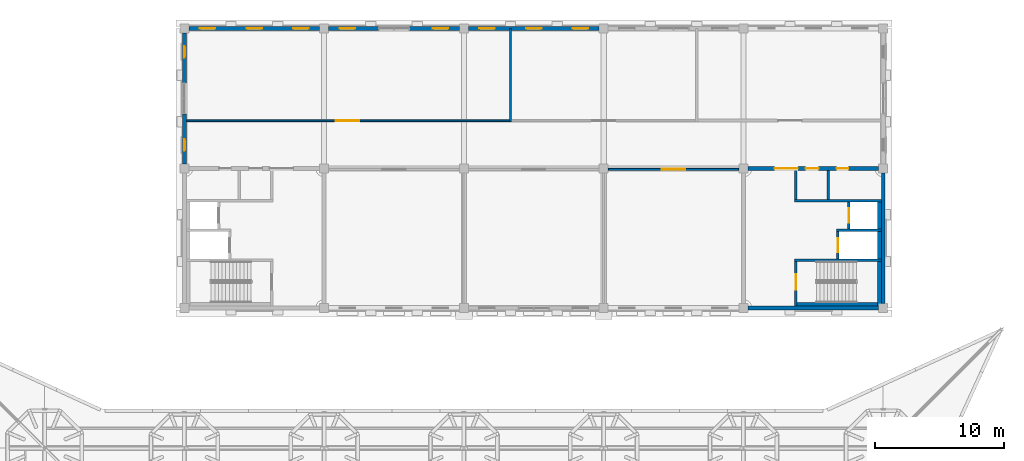
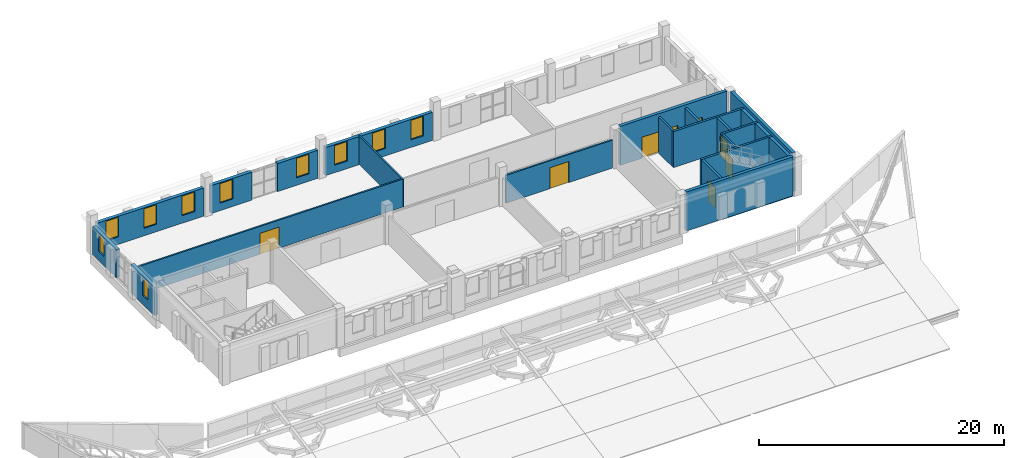
# One storey, part 23 of 32: 24 walls, 10 windows, 8 doors, 18 openings.
"""IFC4 building model written with IfcOpenShell, lengths in metres."""

from ifc_helpers import new_model, si_unit, direction, frame, frame_2d, origin, place, context, subcontext, project, spatial, rectangle, extrude, material, layer, layer_set, type_object, element, fill, save


model = new_model("IFC4")

# Units and contexts
model_context = context("Model", 3, precision=1e-05, world=origin(), true_north=direction((0.0, 1.0)))
body_context = subcontext(model_context, "Body", "Model", "MODEL_VIEW")
ifc_project = project(units=[si_unit("LENGTHUNIT", "METRE"), si_unit("AREAUNIT", "SQUARE_METRE"), si_unit("VOLUMEUNIT", "CUBIC_METRE"), si_unit("PLANEANGLEUNIT", "RADIAN"), si_unit("MASSUNIT", "GRAM", prefix="KILO")], contexts=[model_context])

# Site, building, storey
site_placement = place(None, origin())
site = spatial("IfcSite", under=ifc_project, at=site_placement, CompositionType="ELEMENT")
building_placement = place(site_placement, origin())
building = spatial("IfcBuilding", under=site, at=building_placement, Name="Magnolia Steps Interchange", CompositionType="ELEMENT")
storey_placement = place(building_placement, frame((0.0, 0.0, 16.5)))
storey = spatial("IfcBuildingStorey", under=building, at=storey_placement, Name="L04", CompositionType="ELEMENT", Elevation=16.5)

# Walls
ifc_material_1 = material(Name="Concrete C35", Category="concrete")
ifc_layer_1 = layer(ifc_material_1, 0.199951171875)
ifc_layer_set_1 = layer_set([ifc_layer_1], Name="Core enclosure wall 200")
wall_type_1 = type_object("IfcWallType", Name="Core enclosure wall 200", PredefinedType="SOLIDWALL", material=ifc_layer_set_1)
wall_1_placement = place(storey_placement, frame((111.25, 107.050048828125, 0.0), z_axis=(0.0, 0.0, 1.0), x_axis=(0.0, -1.0, 0.0)))
element("IfcWall", 1, at=wall_1_placement, inside=storey, type_object=wall_type_1, Name="L04 OC-E enclosure wall", PredefinedType="SOLIDWALL", context=body_context, shape_type="SweptSolid", body=[
    extrude(rectangle(XDim=2.25, YDim=0.199951171875, at=frame_2d((1.125, 0.0))), origin(), (0.0, 0.0, 1.0), 3.60009765625),
])
wall_2_placement = place(storey_placement, frame((111.14990234375, 104.699951171875, 0.0), z_axis=(0.0, 0.0, 1.0), x_axis=(1.0, 0.0, 0.0)))
element("IfcWall", 2, at=wall_2_placement, inside=storey, type_object=wall_type_1, Name="L04 OC-E enclosure wall", PredefinedType="SOLIDWALL", context=body_context, shape_type="SweptSolid", body=[
    extrude(rectangle(XDim=6.7001953125, YDim=0.199951171875, at=frame_2d((3.35009765625, 0.0))), origin(), (0.0, 0.0, 1.0), 3.60009765625),
])

# Wall, opening, door
wall_3_placement = place(storey_placement, frame((115.35009765625, 104.60009765625, 0.0), z_axis=(0.0, 0.0, 1.0), x_axis=(0.0, -1.0, 0.0)))
wall_3 = element("IfcWall", 3, at=wall_3_placement, inside=storey, type_object=wall_type_1, Name="L04 OC-E enclosure wall", PredefinedType="SOLIDWALL", context=body_context, shape_type="SweptSolid", body=[
    extrude(rectangle(XDim=2.10009765625, YDim=0.199951171875, at=frame_2d((1.050048828125, 0.0))), origin(), (0.0, 0.0, 1.0), 3.60009765625),
])
opening_1_placement = place(wall_3_placement, frame((0.5, 0.0, 0.0)))
opening_1 = element("IfcOpeningElement", 4, at=opening_1_placement, cuts=wall_3, Name="Opening LD", PredefinedType="OPENING", context=body_context, shape_type="SweptSolid", body=[
    extrude(rectangle(XDim=1.10009765625, YDim=2.10009765625, at=frame_2d((0.550048828125, 1.050048828125))), frame((0.0, 0.10986328125, 0.0), z_axis=(0.0, -1.0, 0.0), x_axis=(1.0, 0.0, 0.0)), (0.0, 0.0, 1.0), 0.219970703125),
])
ifc_material_2 = material(Name="Stainless steel grade 304", Category="steel")
door_type_1 = type_object("IfcDoorType", Name="Lift landing door 1100x2100", OperationType="DOUBLE_DOOR_SLIDING", PredefinedType="DOOR", material=ifc_material_2)
door_1_placement = place(opening_1_placement, frame((1.10009765625, 0.0, 0.0), z_axis=(0.0, 0.0, 1.0), x_axis=(-1.0, 0.0, 0.0)))
door_1 = element("IfcDoor", 5, at=door_1_placement, inside=storey, type_object=door_type_1, Name="Lift landing door LF17 L04", OperationType="DOUBLE_DOOR_SLIDING", OverallHeight=2.10009765625, OverallWidth=1.10009765625, PredefinedType="DOOR", context=body_context, shape_type="SweptSolid", body=[
    extrude(rectangle(XDim=1.10009765625, YDim=2.10009765625, at=frame_2d((0.550048828125, 1.050048828125))), frame((0.0, 0.02490234375, 0.0), z_axis=(0.0, -1.0, 0.0), x_axis=(1.0, 0.0, 0.0)), (0.0, 0.0, 1.0), 0.050048828125),
])
fill(opening_1, door_1)

# Wall
wall_4_placement = place(storey_placement, frame((114.39990234375, 102.39990234375, 0.0), z_axis=(0.0, 0.0, 1.0), x_axis=(1.0, 0.0, 0.0)))
element("IfcWall", 6, at=wall_4_placement, inside=storey, type_object=wall_type_1, Name="L04 OC-E enclosure wall", PredefinedType="SOLIDWALL", context=body_context, shape_type="SweptSolid", body=[
    extrude(rectangle(XDim=3.4501953125, YDim=0.199951171875, at=frame_2d((1.72509765625, 0.0))), origin(), (0.0, 0.0, 1.0), 3.60009765625),
])

# Wall, opening, door
wall_5_placement = place(storey_placement, frame((114.5, 102.300048828125, 0.0), z_axis=(0.0, 0.0, 1.0), x_axis=(0.0, -1.0, 0.0)))
wall_5 = element("IfcWall", 7, at=wall_5_placement, inside=storey, type_object=wall_type_1, Name="L04 OC-E enclosure wall", PredefinedType="SOLIDWALL", context=body_context, shape_type="SweptSolid", body=[
    extrude(rectangle(XDim=2.10009765625, YDim=0.199951171875, at=frame_2d((1.050048828125, 0.0))), origin(), (0.0, 0.0, 1.0), 3.60009765625),
])
opening_2_placement = place(wall_5_placement, frame((0.5, 0.0, 0.0)))
opening_2 = element("IfcOpeningElement", 8, at=opening_2_placement, cuts=wall_5, Name="Opening LD", PredefinedType="OPENING", context=body_context, shape_type="SweptSolid", body=[
    extrude(rectangle(XDim=1.10009765625, YDim=2.10009765625, at=frame_2d((0.550048828125, 1.050048828125))), frame((0.0, 0.10986328125, 0.0), z_axis=(0.0, -1.0, 0.0), x_axis=(1.0, 0.0, 0.0)), (0.0, 0.0, 1.0), 0.219970703125),
])
door_2_placement = place(opening_2_placement, frame((1.10009765625, 0.0, 0.0), z_axis=(0.0, 0.0, 1.0), x_axis=(-1.0, 0.0, 0.0)))
door_2 = element("IfcDoor", 9, at=door_2_placement, inside=storey, type_object=door_type_1, Name="Lift landing door LF18 L04", OperationType="DOUBLE_DOOR_SLIDING", OverallHeight=2.10009765625, OverallWidth=1.10009765625, PredefinedType="DOOR", context=body_context, shape_type="SweptSolid", body=[
    extrude(rectangle(XDim=1.10009765625, YDim=2.10009765625, at=frame_2d((0.550048828125, 1.050048828125))), frame((0.0, 0.02490234375, 0.0), z_axis=(0.0, -1.0, 0.0), x_axis=(1.0, 0.0, 0.0)), (0.0, 0.0, 1.0), 0.050048828125),
])
fill(opening_2, door_2)

# Wall
wall_6_placement = place(storey_placement, frame((111.14990234375, 100.10009765625, 0.0), z_axis=(0.0, 0.0, 1.0), x_axis=(1.0, 0.0, 0.0)))
element("IfcWall", 10, at=wall_6_placement, inside=storey, type_object=wall_type_1, Name="L04 OC-E enclosure wall", PredefinedType="SOLIDWALL", context=body_context, shape_type="SweptSolid", body=[
    extrude(rectangle(XDim=6.7001953125, YDim=0.199951171875, at=frame_2d((3.35009765625, 0.0))), origin(), (0.0, 0.0, 1.0), 3.60009765625),
])

# Wall, opening, door
wall_7_placement = place(storey_placement, frame((111.25, 100.0, 0.0), z_axis=(0.0, 0.0, 1.0), x_axis=(0.0, -1.0, 0.0)))
wall_7 = element("IfcWall", 11, at=wall_7_placement, inside=storey, type_object=wall_type_1, Name="L04 OC-E enclosure wall", PredefinedType="SOLIDWALL", context=body_context, shape_type="SweptSolid", body=[
    extrude(rectangle(XDim=3.449951171875, YDim=0.199951171875, at=frame_2d((1.72509765625, 0.0))), origin(), (0.0, 0.0, 1.0), 3.60009765625),
])
opening_3_placement = place(wall_7_placement, frame((0.97509765625, 0.0, 0.0)))
opening_3 = element("IfcOpeningElement", 12, at=opening_3_placement, cuts=wall_7, Name="Opening D-OC-E-L04-1", PredefinedType="OPENING", context=body_context, shape_type="SweptSolid", body=[
    extrude(rectangle(XDim=1.199951171875, YDim=2.10009765625, at=frame_2d((0.60009765625, 1.050048828125))), frame((0.0, 0.10986328125, 0.0), z_axis=(0.0, -1.0, 0.0), x_axis=(1.0, 0.0, 0.0)), (0.0, 0.0, 1.0), 0.219970703125),
])
ifc_material_3 = material(Name="Painted steel", Category="steel")
door_type_2 = type_object("IfcDoorType", Name="Stair fire door 1200x2100", OperationType="NOTDEFINED", PredefinedType="DOOR", material=ifc_material_3)
door_3_placement = place(opening_3_placement, frame((1.199951171875, 0.0, 0.0), z_axis=(0.0, 0.0, 1.0), x_axis=(-1.0, 0.0, 0.0)))
door_3 = element("IfcDoor", 13, at=door_3_placement, inside=storey, type_object=door_type_2, Name="Stair door ST29 L04", OperationType="SINGLE_SWING_RIGHT", OverallHeight=2.10009765625, OverallWidth=1.199951171875, PredefinedType="DOOR", context=body_context, shape_type="SweptSolid", body=[
    extrude(rectangle(XDim=1.199951171875, YDim=2.10009765625, at=frame_2d((0.60009765625, 1.050048828125))), frame((0.0, 0.02490234375, 0.0), z_axis=(0.0, -1.0, 0.0), x_axis=(1.0, 0.0, 0.0)), (0.0, 0.0, 1.0), 0.050048828125),
])
fill(opening_3, door_3)

# Walls
ifc_material_4 = material(Name="Concrete C35", Category="concrete")
ifc_layer_2 = layer(ifc_material_4, 0.300048828125)
ifc_layer_set_2 = layer_set([ifc_layer_2], Name="Core lining wall 300")
wall_type_2 = type_object("IfcWallType", Name="Core lining wall 300", PredefinedType="SOLIDWALL", material=ifc_layer_set_2)
wall_8_placement = place(storey_placement, frame((111.14990234375, 96.699951171875, -0.300048828125), z_axis=(0.0, 0.0, 1.0), x_axis=(1.0, 0.0, 0.0)))
element("IfcWall", 14, at=wall_8_placement, inside=storey, type_object=wall_type_2, Name="L04 OC-E stair lining wall", PredefinedType="SOLIDWALL", context=body_context, shape_type="SweptSolid", body=[
    extrude(rectangle(XDim=6.7001953125, YDim=0.300048828125, at=frame_2d((3.35009765625, 0.0))), origin(), (0.0, 0.0, 1.0), 3.900146484375),
])
wall_9_placement = place(storey_placement, frame((117.699951171875, 100.0, -0.300048828125), z_axis=(0.0, 0.0, 1.0), x_axis=(0.0, -1.0, 0.0)))
element("IfcWall", 15, at=wall_9_placement, inside=storey, type_object=wall_type_2, Name="L04 OC-E stair lining wall", PredefinedType="SOLIDWALL", context=body_context, shape_type="SweptSolid", body=[
    extrude(rectangle(XDim=3.449951171875, YDim=0.300048828125, at=frame_2d((1.72509765625, 0.0))), origin(), (0.0, 0.0, 1.0), 3.900146484375),
])
for number, where, z_axis, x_axis, name in (
    (16, (117.699951171875, 104.60009765625, -0.300048828125), (0.0, 0.0, 1.0), (0.0, -1.0, 0.0), "L04 OC-E stair lining wall"),
    (17, (117.699951171875, 102.300048828125, -0.300048828125), (0.0, 0.0, 1.0), (0.0, -1.0, 0.0), "L04 OC-E stair lining wall"),
):
    element("IfcWall", number, at=place(storey_placement, frame(where, z_axis=z_axis, x_axis=x_axis)), inside=storey, type_object=wall_type_2, Name=name, PredefinedType="SOLIDWALL", context=body_context, shape_type="SweptSolid", body=[
        extrude(rectangle(XDim=2.10009765625, YDim=0.300048828125, at=frame_2d((1.050048828125, 0.0))), origin(), (0.0, 0.0, 1.0), 3.900146484375),
    ])
ifc_material_5 = material(Name="Fair-faced blockwork", Category="masonry")
ifc_layer_3 = layer(ifc_material_5, 0.199951171875)
ifc_layer_set_3 = layer_set([ifc_layer_3], Name="Core partition 200")
wall_type_3 = type_object("IfcWallType", Name="Core partition 200", PredefinedType="PARTITIONING", material=ifc_layer_set_3)
wall_10_placement = place(storey_placement, frame((113.75, 107.050048828125, 0.0), z_axis=(0.0, 0.0, 1.0), x_axis=(0.0, -1.0, 0.0)))
element("IfcWall", 18, at=wall_10_placement, inside=storey, type_object=wall_type_3, Name="L04 OC-E toilet partition", PredefinedType="PARTITIONING", context=body_context, shape_type="SweptSolid", body=[
    extrude(rectangle(XDim=2.25, YDim=0.199951171875, at=frame_2d((1.125, 0.0))), origin(), (0.0, 0.0, 1.0), 3.60009765625),
])
ifc_material_6 = material(Name="Concrete C40", Category="concrete")
ifc_layer_4 = layer(ifc_material_6, 0.300048828125)
ifc_layer_set_4 = layer_set([ifc_layer_4], Name="Core wall 300")
wall_type_4 = type_object("IfcWallType", Name="Core wall 300", PredefinedType="SOLIDWALL", material=ifc_layer_set_4)
wall_11_placement = place(storey_placement, frame((107.550048828125, 96.39990234375, 0.0), z_axis=(0.0, 0.0, 1.0), x_axis=(1.0, 0.0, 0.0)))
element("IfcWall", 19, at=wall_11_placement, inside=storey, type_object=wall_type_4, Name="Core wall OC-E", PredefinedType="SOLIDWALL", context=body_context, shape_type="SweptSolid", body=[
    extrude(rectangle(XDim=10.099853515625, YDim=0.300048828125, at=frame_2d((5.0498046875, 0.0))), origin(), (0.0, 0.0, 1.0), 3.89990234375),
])
wall_12_placement = place(storey_placement, frame((118.0, 96.75, 0.0), z_axis=(0.0, 0.0, 1.0), x_axis=(0.0, 1.0, 0.0)))
element("IfcWall", 20, at=wall_12_placement, inside=storey, type_object=wall_type_4, Name="Core wall OC-E", PredefinedType="SOLIDWALL", context=body_context, shape_type="SweptSolid", body=[
    extrude(rectangle(XDim=10.10009765625, YDim=0.300048828125, at=frame_2d((5.050048828125, 0.0))), origin(), (0.0, 0.0, 1.0), 3.89990234375),
])

# Wall, openings, doors
wall_13_placement = place(storey_placement, frame((117.64990234375, 107.199951171875, 0.0), z_axis=(0.0, 0.0, 1.0), x_axis=(-1.0, 0.0, 0.0)))
wall_13 = element("IfcWall", 21, at=wall_13_placement, inside=storey, type_object=wall_type_4, Name="Core wall OC-E", PredefinedType="SOLIDWALL", context=body_context, shape_type="SweptSolid", body=[
    extrude(rectangle(XDim=10.099853515625, YDim=0.300048828125, at=frame_2d((5.0498046875, 0.0))), origin(), (0.0, 0.0, 1.0), 3.89990234375),
])
opening_4_placement = place(wall_13_placement, frame((6.25, 0.0, 0.0)))
opening_4 = element("IfcOpeningElement", 22, at=opening_4_placement, cuts=wall_13, Name="Opening D-OC-E-L04-2", PredefinedType="OPENING", context=body_context, shape_type="SweptSolid", body=[
    extrude(rectangle(XDim=1.800048828125, YDim=2.10009765625, at=frame_2d((0.89990234375, 1.050048828125))), frame((0.0, 0.159912109375, 0.0), z_axis=(0.0, -1.0, 0.0), x_axis=(1.0, 0.0, 0.0)), (0.0, 0.0, 1.0), 0.320068359375),
])
opening_5_placement = place(wall_13_placement, frame((4.64990234375, 0.0, 0.0)))
opening_5 = element("IfcOpeningElement", 23, at=opening_5_placement, cuts=wall_13, Name="Opening D-OC-E-L04-3", PredefinedType="OPENING", context=body_context, shape_type="SweptSolid", body=[
    extrude(rectangle(XDim=1.0, YDim=2.10009765625, at=frame_2d((0.5, 1.050048828125))), frame((0.0, 0.159912109375, 0.0), z_axis=(0.0, -1.0, 0.0), x_axis=(1.0, 0.0, 0.0)), (0.0, 0.0, 1.0), 0.320068359375),
])
opening_6_placement = place(wall_13_placement, frame((2.35009765625, 0.0, 0.0)))
opening_6 = element("IfcOpeningElement", 24, at=opening_6_placement, cuts=wall_13, Name="Opening D-OC-E-L04-4", PredefinedType="OPENING", context=body_context, shape_type="SweptSolid", body=[
    extrude(rectangle(XDim=0.89990234375, YDim=2.10009765625, at=frame_2d((0.449951171875, 1.050048828125))), frame((0.0, 0.159912109375, 0.0), z_axis=(0.0, -1.0, 0.0), x_axis=(1.0, 0.0, 0.0)), (0.0, 0.0, 1.0), 0.320068359375),
])
ifc_material_7 = material(Name="Timber", Category="wood")
door_type_3 = type_object("IfcDoorType", Name="Accessible toilet door 1000x2100", OperationType="NOTDEFINED", PredefinedType="DOOR", material=ifc_material_7)
door_4_placement = place(opening_5_placement, origin())
door_4 = element("IfcDoor", 25, at=door_4_placement, inside=storey, type_object=door_type_3, Name="Accessible Toilet door OC-E L04", OperationType="SINGLE_SWING_RIGHT", OverallHeight=2.10009765625, OverallWidth=1.0, PredefinedType="DOOR", context=body_context, shape_type="SweptSolid", body=[
    extrude(rectangle(XDim=1.0, YDim=2.10009765625, at=frame_2d((0.5, 1.050048828125))), frame((0.0, 0.02490234375, 0.0), z_axis=(0.0, -1.0, 0.0), x_axis=(1.0, 0.0, 0.0)), (0.0, 0.0, 1.0), 0.050048828125),
])
fill(opening_5, door_4)
ifc_material_8 = material(Name="Timber and glass", Category="wood")
door_type_4 = type_object("IfcDoorType", Name="Core entrance door pair 1800x2100", OperationType="DOUBLE_DOOR_DOUBLE_SWING", PredefinedType="DOOR", material=ifc_material_8)
door_5_placement = place(opening_4_placement, frame((1.800048828125, 0.0, 0.0), z_axis=(0.0, 0.0, 1.0), x_axis=(-1.0, 0.0, 0.0)))
door_5 = element("IfcDoor", 26, at=door_5_placement, inside=storey, type_object=door_type_4, Name="Core entrance door OC-E L04", OperationType="DOUBLE_DOOR_DOUBLE_SWING", OverallHeight=2.10009765625, OverallWidth=1.800048828125, PredefinedType="DOOR", context=body_context, shape_type="SweptSolid", body=[
    extrude(rectangle(XDim=1.800048828125, YDim=2.10009765625, at=frame_2d((0.89990234375, 1.050048828125))), frame((0.0, 0.02490234375, 0.0), z_axis=(0.0, -1.0, 0.0), x_axis=(1.0, 0.0, 0.0)), (0.0, 0.0, 1.0), 0.050048828125),
])
fill(opening_4, door_5)
ifc_material_9 = material(Name="Timber", Category="wood")
door_type_5 = type_object("IfcDoorType", Name="Toilet door 900x2100", OperationType="NOTDEFINED", PredefinedType="DOOR", material=ifc_material_9)
door_6_placement = place(opening_6_placement, origin())
door_6 = element("IfcDoor", 27, at=door_6_placement, inside=storey, type_object=door_type_5, Name="Public Toilets door OC-E L04", OperationType="SINGLE_SWING_LEFT", OverallHeight=2.10009765625, OverallWidth=0.89990234375, PredefinedType="DOOR", context=body_context, shape_type="SweptSolid", body=[
    extrude(rectangle(XDim=0.89990234375, YDim=2.10009765625, at=frame_2d((0.449951171875, 1.050048828125))), frame((0.0, 0.02490234375, 0.0), z_axis=(0.0, -1.0, 0.0), x_axis=(1.0, 0.0, 0.0)), (0.0, 0.0, 1.0), 0.050048828125),
])
fill(opening_6, door_6)

# Wall, openings, windows
ifc_material_10 = material(Name="Lime render on masonry", Category="masonry")
ifc_layer_5 = layer(ifc_material_10, 0.324951171875)
ifc_layer_set_5 = layer_set([ifc_layer_5], Name="Lime render wall 325")
wall_type_5 = type_object("IfcWallType", Name="Lime render wall 325", PredefinedType="SOLIDWALL", material=ifc_layer_set_5)
wall_14_placement = place(storey_placement, frame((64.35009765625, 118.0, 0.0), z_axis=(0.0, 0.0, 1.0), x_axis=(1.0, 0.0, 0.0)))
wall_14 = element("IfcWall", 28, at=wall_14_placement, inside=storey, type_object=wall_type_5, Name="Operations building north wall L04 pier 1", PredefinedType="SOLIDWALL", context=body_context, shape_type="SweptSolid", body=[
    extrude(rectangle(XDim=10.099853515625, YDim=0.324951171875, at=frame_2d((5.0498046875, 0.0))), origin(), (0.0, 0.0, 1.0), 2.800048828125),
])
opening_7_placement = place(wall_14_placement, frame((0.85009765625, 0.0, 0.75)))
opening_7 = element("IfcOpeningElement", 29, at=opening_7_placement, cuts=wall_14, Name="Opening WN1", PredefinedType="OPENING", context=body_context, shape_type="SweptSolid", body=[
    extrude(rectangle(XDim=1.199951171875, YDim=1.949951171875, at=frame_2d((0.60009765625, 0.97509765625))), frame((0.0, 0.17236328125, 0.0), z_axis=(0.0, -1.0, 0.0), x_axis=(1.0, 0.0, 0.0)), (0.0, 0.0, 1.0), 0.344970703125),
])
opening_8_placement = place(wall_14_placement, frame((4.449951171875, 0.0, 0.75)))
opening_8 = element("IfcOpeningElement", 30, at=opening_8_placement, cuts=wall_14, Name="Opening WN1", PredefinedType="OPENING", context=body_context, shape_type="SweptSolid", body=[
    extrude(rectangle(XDim=1.199951171875, YDim=1.949951171875, at=frame_2d((0.60009765625, 0.97509765625))), frame((0.0, 0.17236328125, 0.0), z_axis=(0.0, -1.0, 0.0), x_axis=(1.0, 0.0, 0.0)), (0.0, 0.0, 1.0), 0.344970703125),
])
opening_9_placement = place(wall_14_placement, frame((8.050048828125, 0.0, 0.75)))
opening_9 = element("IfcOpeningElement", 31, at=opening_9_placement, cuts=wall_14, Name="Opening WN1", PredefinedType="OPENING", context=body_context, shape_type="SweptSolid", body=[
    extrude(rectangle(XDim=1.199951171875, YDim=1.949951171875, at=frame_2d((0.60009765625, 0.97509765625))), frame((0.0, 0.17236328125, 0.0), z_axis=(0.0, -1.0, 0.0), x_axis=(1.0, 0.0, 0.0)), (0.0, 0.0, 1.0), 0.344970703125),
])
ifc_material_11 = material(Name="Timber frame with double glazing", Category="wood")
window_type_1 = type_object("IfcWindowType", Name="Tall window 1200 x 1950", PartitioningType="DOUBLE_PANEL_VERTICAL", PredefinedType="WINDOW", material=ifc_material_11)
window_1_placement = place(opening_7_placement, origin())
window_1 = element("IfcWindow", 32, at=window_1_placement, inside=storey, type_object=window_type_1, Name="Window L04 north 1", OverallHeight=1.949951171875, OverallWidth=1.199951171875, PartitioningType="SINGLE_PANEL", PredefinedType="WINDOW", context=body_context, shape_type="SweptSolid", body=[
    extrude(rectangle(XDim=1.199951171875, YDim=1.949951171875, at=frame_2d((0.60009765625, 0.97509765625))), frame((0.0, 0.030029296875, 0.0), z_axis=(0.0, -1.0, 0.0), x_axis=(1.0, 0.0, 0.0)), (0.0, 0.0, 1.0), 0.06005859375),
])
fill(opening_7, window_1)
window_2_placement = place(opening_8_placement, origin())
window_2 = element("IfcWindow", 33, at=window_2_placement, inside=storey, type_object=window_type_1, Name="Window L04 north 2", OverallHeight=1.949951171875, OverallWidth=1.199951171875, PartitioningType="SINGLE_PANEL", PredefinedType="WINDOW", context=body_context, shape_type="SweptSolid", body=[
    extrude(rectangle(XDim=1.199951171875, YDim=1.949951171875, at=frame_2d((0.60009765625, 0.97509765625))), frame((0.0, 0.030029296875, 0.0), z_axis=(0.0, -1.0, 0.0), x_axis=(1.0, 0.0, 0.0)), (0.0, 0.0, 1.0), 0.06005859375),
])
fill(opening_8, window_2)
window_3_placement = place(opening_9_placement, origin())
window_3 = element("IfcWindow", 34, at=window_3_placement, inside=storey, type_object=window_type_1, Name="Window L04 north 3", OverallHeight=1.949951171875, OverallWidth=1.199951171875, PartitioningType="SINGLE_PANEL", PredefinedType="WINDOW", context=body_context, shape_type="SweptSolid", body=[
    extrude(rectangle(XDim=1.199951171875, YDim=1.949951171875, at=frame_2d((0.60009765625, 0.97509765625))), frame((0.0, 0.030029296875, 0.0), z_axis=(0.0, -1.0, 0.0), x_axis=(1.0, 0.0, 0.0)), (0.0, 0.0, 1.0), 0.06005859375),
])
fill(opening_9, window_3)

# Wall, opening, window
wall_15_placement = place(storey_placement, frame((75.14990234375, 118.0, 0.0), z_axis=(0.0, 0.0, 1.0), x_axis=(1.0, 0.0, 0.0)))
wall_15 = element("IfcWall", 35, at=wall_15_placement, inside=storey, type_object=wall_type_5, Name="Operations building north wall L04 pier 1", PredefinedType="SOLIDWALL", context=body_context, shape_type="SweptSolid", body=[
    extrude(rectangle(XDim=3.85009765625, YDim=0.324951171875, at=frame_2d((1.925048828125, 0.0))), origin(), (0.0, 0.0, 1.0), 2.800048828125),
])
opening_10_placement = place(wall_15_placement, frame((0.85009765625, 0.0, 0.75)))
opening_10 = element("IfcOpeningElement", 36, at=opening_10_placement, cuts=wall_15, Name="Opening WN1", PredefinedType="OPENING", context=body_context, shape_type="SweptSolid", body=[
    extrude(rectangle(XDim=1.199951171875, YDim=1.949951171875, at=frame_2d((0.60009765625, 0.97509765625))), frame((0.0, 0.17236328125, 0.0), z_axis=(0.0, -1.0, 0.0), x_axis=(1.0, 0.0, 0.0)), (0.0, 0.0, 1.0), 0.344970703125),
])
window_4_placement = place(opening_10_placement, origin())
window_4 = element("IfcWindow", 37, at=window_4_placement, inside=storey, type_object=window_type_1, Name="Window L04 north 4", OverallHeight=1.949951171875, OverallWidth=1.199951171875, PartitioningType="SINGLE_PANEL", PredefinedType="WINDOW", context=body_context, shape_type="SweptSolid", body=[
    extrude(rectangle(XDim=1.199951171875, YDim=1.949951171875, at=frame_2d((0.60009765625, 0.97509765625))), frame((0.0, 0.030029296875, 0.0), z_axis=(0.0, -1.0, 0.0), x_axis=(1.0, 0.0, 0.0)), (0.0, 0.0, 1.0), 0.06005859375),
])
fill(opening_10, window_4)

wall_16_placement = place(storey_placement, frame((81.39990234375, 118.0, 0.0), z_axis=(0.0, 0.0, 1.0), x_axis=(1.0, 0.0, 0.0)))
wall_16 = element("IfcWall", 38, at=wall_16_placement, inside=storey, type_object=wall_type_5, Name="Operations building north wall L04 pier 3", PredefinedType="SOLIDWALL", context=body_context, shape_type="SweptSolid", body=[
    extrude(rectangle(XDim=3.85009765625, YDim=0.324951171875, at=frame_2d((1.925048828125, 0.0))), origin(), (0.0, 0.0, 1.0), 2.800048828125),
])
opening_11_placement = place(wall_16_placement, frame((1.800048828125, 0.0, 0.75)))
opening_11 = element("IfcOpeningElement", 39, at=opening_11_placement, cuts=wall_16, Name="Opening WN1", PredefinedType="OPENING", context=body_context, shape_type="SweptSolid", body=[
    extrude(rectangle(XDim=1.199951171875, YDim=1.949951171875, at=frame_2d((0.60009765625, 0.97509765625))), frame((0.0, 0.17236328125, 0.0), z_axis=(0.0, -1.0, 0.0), x_axis=(1.0, 0.0, 0.0)), (0.0, 0.0, 1.0), 0.344970703125),
])
window_5_placement = place(opening_11_placement, origin())
window_5 = element("IfcWindow", 40, at=window_5_placement, inside=storey, type_object=window_type_1, Name="Window L04 north 6", OverallHeight=1.949951171875, OverallWidth=1.199951171875, PartitioningType="SINGLE_PANEL", PredefinedType="WINDOW", context=body_context, shape_type="SweptSolid", body=[
    extrude(rectangle(XDim=1.199951171875, YDim=1.949951171875, at=frame_2d((0.60009765625, 0.97509765625))), frame((0.0, 0.030029296875, 0.0), z_axis=(0.0, -1.0, 0.0), x_axis=(1.0, 0.0, 0.0)), (0.0, 0.0, 1.0), 0.06005859375),
])
fill(opening_11, window_5)

# Wall, openings, windows
wall_17_placement = place(storey_placement, frame((85.949951171875, 118.0, 0.0), z_axis=(0.0, 0.0, 1.0), x_axis=(1.0, 0.0, 0.0)))
wall_17 = element("IfcWall", 41, at=wall_17_placement, inside=storey, type_object=wall_type_5, Name="Operations building north wall L04 pier 3", PredefinedType="SOLIDWALL", context=body_context, shape_type="SweptSolid", body=[
    extrude(rectangle(XDim=10.10009765625, YDim=0.324951171875, at=frame_2d((5.050048828125, 0.0))), origin(), (0.0, 0.0, 1.0), 2.800048828125),
])
opening_12_placement = place(wall_17_placement, frame((0.85009765625, 0.0, 0.75)))
opening_12 = element("IfcOpeningElement", 42, at=opening_12_placement, cuts=wall_17, Name="Opening WN1", PredefinedType="OPENING", context=body_context, shape_type="SweptSolid", body=[
    extrude(rectangle(XDim=1.199951171875, YDim=1.949951171875, at=frame_2d((0.60009765625, 0.97509765625))), frame((0.0, 0.17236328125, 0.0), z_axis=(0.0, -1.0, 0.0), x_axis=(1.0, 0.0, 0.0)), (0.0, 0.0, 1.0), 0.344970703125),
])
opening_13_placement = place(wall_17_placement, frame((4.449951171875, 0.0, 0.75)))
opening_13 = element("IfcOpeningElement", 43, at=opening_13_placement, cuts=wall_17, Name="Opening WN1", PredefinedType="OPENING", context=body_context, shape_type="SweptSolid", body=[
    extrude(rectangle(XDim=1.199951171875, YDim=1.949951171875, at=frame_2d((0.60009765625, 0.97509765625))), frame((0.0, 0.17236328125, 0.0), z_axis=(0.0, -1.0, 0.0), x_axis=(1.0, 0.0, 0.0)), (0.0, 0.0, 1.0), 0.344970703125),
])
opening_14_placement = place(wall_17_placement, frame((8.050048828125, 0.0, 0.75)))
opening_14 = element("IfcOpeningElement", 44, at=opening_14_placement, cuts=wall_17, Name="Opening WN1", PredefinedType="OPENING", context=body_context, shape_type="SweptSolid", body=[
    extrude(rectangle(XDim=1.199951171875, YDim=1.949951171875, at=frame_2d((0.60009765625, 0.97509765625))), frame((0.0, 0.17236328125, 0.0), z_axis=(0.0, -1.0, 0.0), x_axis=(1.0, 0.0, 0.0)), (0.0, 0.0, 1.0), 0.344970703125),
])
window_6_placement = place(opening_12_placement, origin())
window_6 = element("IfcWindow", 45, at=window_6_placement, inside=storey, type_object=window_type_1, Name="Window L04 north 7", OverallHeight=1.949951171875, OverallWidth=1.199951171875, PartitioningType="SINGLE_PANEL", PredefinedType="WINDOW", context=body_context, shape_type="SweptSolid", body=[
    extrude(rectangle(XDim=1.199951171875, YDim=1.949951171875, at=frame_2d((0.60009765625, 0.97509765625))), frame((0.0, 0.030029296875, 0.0), z_axis=(0.0, -1.0, 0.0), x_axis=(1.0, 0.0, 0.0)), (0.0, 0.0, 1.0), 0.06005859375),
])
fill(opening_12, window_6)
window_7_placement = place(opening_13_placement, origin())
window_7 = element("IfcWindow", 46, at=window_7_placement, inside=storey, type_object=window_type_1, Name="Window L04 north 8", OverallHeight=1.949951171875, OverallWidth=1.199951171875, PartitioningType="SINGLE_PANEL", PredefinedType="WINDOW", context=body_context, shape_type="SweptSolid", body=[
    extrude(rectangle(XDim=1.199951171875, YDim=1.949951171875, at=frame_2d((0.60009765625, 0.97509765625))), frame((0.0, 0.030029296875, 0.0), z_axis=(0.0, -1.0, 0.0), x_axis=(1.0, 0.0, 0.0)), (0.0, 0.0, 1.0), 0.06005859375),
])
fill(opening_13, window_7)
window_8_placement = place(opening_14_placement, origin())
window_8 = element("IfcWindow", 47, at=window_8_placement, inside=storey, type_object=window_type_1, Name="Window L04 north 9", OverallHeight=1.949951171875, OverallWidth=1.199951171875, PartitioningType="SINGLE_PANEL", PredefinedType="WINDOW", context=body_context, shape_type="SweptSolid", body=[
    extrude(rectangle(XDim=1.199951171875, YDim=1.949951171875, at=frame_2d((0.60009765625, 0.97509765625))), frame((0.0, 0.030029296875, 0.0), z_axis=(0.0, -1.0, 0.0), x_axis=(1.0, 0.0, 0.0)), (0.0, 0.0, 1.0), 0.06005859375),
])
fill(opening_14, window_8)

# Wall, opening, window
wall_18_placement = place(storey_placement, frame((64.0, 107.550048828125, 0.0), z_axis=(0.0, 0.0, 1.0), x_axis=(0.0, 1.0, 0.0)))
wall_18 = element("IfcWall", 48, at=wall_18_placement, inside=storey, type_object=wall_type_5, Name="Operations building west wall L04 pier 1", PredefinedType="SOLIDWALL", context=body_context, shape_type="SweptSolid", body=[
    extrude(rectangle(XDim=3.849853515625, YDim=0.324951171875, at=frame_2d((1.9248046875, 0.0))), origin(), (0.0, 0.0, 1.0), 2.800048828125),
])
opening_15_placement = place(wall_18_placement, frame((1.0, 0.0, 0.89990234375)))
opening_15 = element("IfcOpeningElement", 49, at=opening_15_placement, cuts=wall_18, Name="Opening WN11", PredefinedType="OPENING", context=body_context, shape_type="SweptSolid", body=[
    extrude(rectangle(XDim=0.89990234375, YDim=1.800048828125, at=frame_2d((0.449951171875, 0.89990234375))), frame((0.0, 0.17236328125, 0.0), z_axis=(0.0, -1.0, 0.0), x_axis=(1.0, 0.0, 0.0)), (0.0, 0.0, 1.0), 0.344970703125),
])
ifc_material_12 = material(Name="Timber frame with double glazing", Category="wood")
window_type_2 = type_object("IfcWindowType", Name="Gable end window 900 x 1800", PartitioningType="SINGLE_PANEL", PredefinedType="WINDOW", material=ifc_material_12)
window_9_placement = place(opening_15_placement, origin())
window_9 = element("IfcWindow", 50, at=window_9_placement, inside=storey, type_object=window_type_2, Name="Window L04 west 1", OverallHeight=1.800048828125, OverallWidth=0.89990234375, PartitioningType="SINGLE_PANEL", PredefinedType="WINDOW", context=body_context, shape_type="SweptSolid", body=[
    extrude(rectangle(XDim=0.89990234375, YDim=1.800048828125, at=frame_2d((0.449951171875, 0.89990234375))), frame((0.0, 0.030029296875, 0.0), z_axis=(0.0, -1.0, 0.0), x_axis=(1.0, 0.0, 0.0)), (0.0, 0.0, 1.0), 0.06005859375),
])
fill(opening_15, window_9)

wall_19_placement = place(storey_placement, frame((64.0, 113.800048828125, 0.0), z_axis=(0.0, 0.0, 1.0), x_axis=(0.0, 1.0, 0.0)))
wall_19 = element("IfcWall", 51, at=wall_19_placement, inside=storey, type_object=wall_type_5, Name="Operations building west wall L04 pier 3", PredefinedType="SOLIDWALL", context=body_context, shape_type="SweptSolid", body=[
    extrude(rectangle(XDim=3.849853515625, YDim=0.324951171875, at=frame_2d((1.9248046875, 0.0))), origin(), (0.0, 0.0, 1.0), 2.800048828125),
])
opening_16_placement = place(wall_19_placement, frame((1.949951171875, 0.0, 0.89990234375)))
opening_16 = element("IfcOpeningElement", 52, at=opening_16_placement, cuts=wall_19, Name="Opening WN11", PredefinedType="OPENING", context=body_context, shape_type="SweptSolid", body=[
    extrude(rectangle(XDim=0.89990234375, YDim=1.800048828125, at=frame_2d((0.449951171875, 0.89990234375))), frame((0.0, 0.17236328125, 0.0), z_axis=(0.0, -1.0, 0.0), x_axis=(1.0, 0.0, 0.0)), (0.0, 0.0, 1.0), 0.344970703125),
])
window_10_placement = place(opening_16_placement, origin())
window_10 = element("IfcWindow", 53, at=window_10_placement, inside=storey, type_object=window_type_2, Name="Window L04 west 3", OverallHeight=1.800048828125, OverallWidth=0.89990234375, PartitioningType="SINGLE_PANEL", PredefinedType="WINDOW", context=body_context, shape_type="SweptSolid", body=[
    extrude(rectangle(XDim=0.89990234375, YDim=1.800048828125, at=frame_2d((0.449951171875, 0.89990234375))), frame((0.0, 0.030029296875, 0.0), z_axis=(0.0, -1.0, 0.0), x_axis=(1.0, 0.0, 0.0)), (0.0, 0.0, 1.0), 0.06005859375),
])
fill(opening_16, window_10)

# Wall, opening, door
ifc_material_13 = material(Name="Fair-faced blockwork", Category="masonry")
ifc_layer_6 = layer(ifc_material_13, 0.14990234375)
ifc_layer_set_6 = layer_set([ifc_layer_6], Name="Partition wall 150")
wall_type_6 = type_object("IfcWallType", Name="Partition wall 150", PredefinedType="PARTITIONING", material=ifc_layer_set_6)
wall_20_placement = place(storey_placement, frame((96.77001953125, 107.125, 0.0), z_axis=(0.0, 0.0, 1.0), x_axis=(1.0, 0.0, 0.0)))
wall_20 = element("IfcWall", 54, at=wall_20_placement, inside=storey, type_object=wall_type_6, Name="L04 partition 3", PredefinedType="PARTITIONING", context=body_context, shape_type="SweptSolid", body=[
    extrude(rectangle(XDim=10.06005859375, YDim=0.14990234375, at=frame_2d((5.030029296875, 0.0))), origin(), (0.0, 0.0, 1.0), 2.800048828125),
])
opening_17_placement = place(wall_20_placement, frame((4.1298828125, 0.0, 0.0)))
opening_17 = element("IfcOpeningElement", 55, at=opening_17_placement, cuts=wall_20, Name="Opening D-L04-3", PredefinedType="OPENING", context=body_context, shape_type="SweptSolid", body=[
    extrude(rectangle(XDim=1.800048828125, YDim=2.10009765625, at=frame_2d((0.89990234375, 1.050048828125))), frame((0.0, 0.0849609375, 0.0), z_axis=(0.0, -1.0, 0.0), x_axis=(1.0, 0.0, 0.0)), (0.0, 0.0, 1.0), 0.169921875),
])
ifc_material_14 = material(Name="Timber", Category="wood")
door_type_6 = type_object("IfcDoorType", Name="Room door pair 1800x2100", OperationType="DOUBLE_DOOR_DOUBLE_SWING", PredefinedType="DOOR", material=ifc_material_14)
door_7_placement = place(opening_17_placement, origin())
door_7 = element("IfcDoor", 56, at=door_7_placement, inside=storey, type_object=door_type_6, Name="Boardroom door", OperationType="DOUBLE_DOOR_DOUBLE_SWING", OverallHeight=2.10009765625, OverallWidth=1.800048828125, PredefinedType="DOOR", context=body_context, shape_type="SweptSolid", body=[
    extrude(rectangle(XDim=1.800048828125, YDim=2.10009765625, at=frame_2d((0.89990234375, 1.050048828125))), frame((0.0, 0.02490234375, 0.0), z_axis=(0.0, -1.0, 0.0), x_axis=(1.0, 0.0, 0.0)), (0.0, 0.0, 1.0), 0.050048828125),
])
fill(opening_17, door_7)

wall_21_placement = place(storey_placement, frame((64.0, 110.875, 0.0), z_axis=(0.0, 0.0, 1.0), x_axis=(1.0, 0.0, 0.0)))
wall_21 = element("IfcWall", 57, at=wall_21_placement, inside=storey, type_object=wall_type_6, Name="L04 partition 4", PredefinedType="PARTITIONING", context=body_context, shape_type="SweptSolid", body=[
    extrude(rectangle(XDim=25.199951171875, YDim=0.14990234375, at=frame_2d((12.60009765625, 0.0))), origin(), (0.0, 0.0, 1.0), 2.800048828125),
])
opening_18_placement = place(wall_21_placement, frame((11.699951171875, 0.0, 0.0)))
opening_18 = element("IfcOpeningElement", 58, at=opening_18_placement, cuts=wall_21, Name="Opening D-L04-4", PredefinedType="OPENING", context=body_context, shape_type="SweptSolid", body=[
    extrude(rectangle(XDim=1.800048828125, YDim=2.10009765625, at=frame_2d((0.89990234375, 1.050048828125))), frame((0.0, 0.0849609375, 0.0), z_axis=(0.0, -1.0, 0.0), x_axis=(1.0, 0.0, 0.0)), (0.0, 0.0, 1.0), 0.169921875),
])
door_8_placement = place(opening_18_placement, origin())
door_8 = element("IfcDoor", 59, at=door_8_placement, inside=storey, type_object=door_type_6, Name="Bus Network Planning Office door", OperationType="DOUBLE_DOOR_DOUBLE_SWING", OverallHeight=2.10009765625, OverallWidth=1.800048828125, PredefinedType="DOOR", context=body_context, shape_type="SweptSolid", body=[
    extrude(rectangle(XDim=1.800048828125, YDim=2.10009765625, at=frame_2d((0.89990234375, 1.050048828125))), frame((0.0, 0.02490234375, 0.0), z_axis=(0.0, -1.0, 0.0), x_axis=(1.0, 0.0, 0.0)), (0.0, 0.0, 1.0), 0.050048828125),
])
fill(opening_18, door_8)

# Wall
wall_22_placement = place(storey_placement, frame((89.199951171875, 110.800048828125, 0.0), z_axis=(0.0, 0.0, 1.0), x_axis=(0.0, 1.0, 0.0)))
element("IfcWall", 60, at=wall_22_placement, inside=storey, type_object=wall_type_6, Name="L04 partition 9", PredefinedType="PARTITIONING", context=body_context, shape_type="SweptSolid", body=[
    extrude(rectangle(XDim=7.199951171875, YDim=0.14990234375, at=frame_2d((3.60009765625, 0.0))), origin(), (0.0, 0.0, 1.0), 2.800048828125),
])

save(model, "model.ifc")
